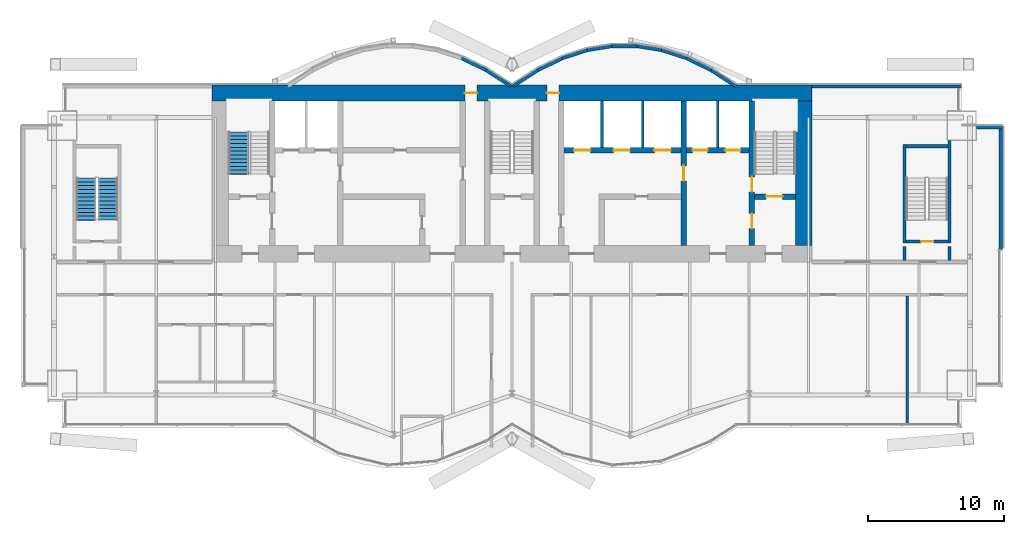
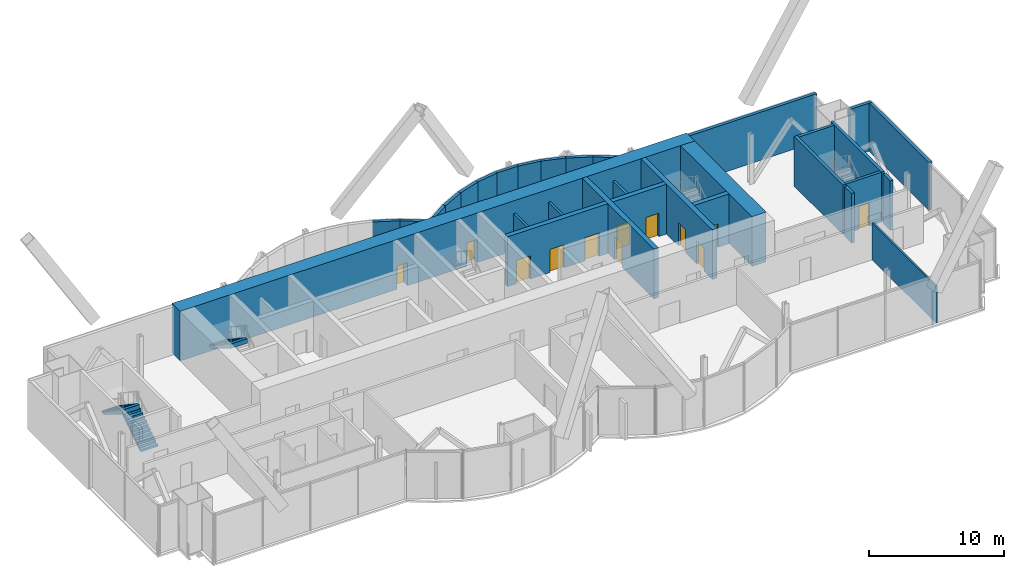
# One storey, part 13 of 17: 30 walls, 12 doors, 3 stair flights, 12 openings, 2 elements without a shape of their own.
"""IFC4 building model written with IfcOpenShell, lengths in metres."""

from ifc_helpers import new_model, si_unit, direction, frame, frame_2d, origin, place, context, subcontext, project, spatial, polyline, rectangle, outline, extrude, material, layer, layer_set, layer_usage, type_object, element, fill, aggregate, save


model = new_model("IFC4")

# Units and contexts
model_context = context("Model", 3, precision=1e-05, world=origin(), true_north=direction((0.0, 1.0)))
body_context = subcontext(model_context, "Body", "Model", "MODEL_VIEW")
ifc_project = project(units=[si_unit("LENGTHUNIT", "METRE"), si_unit("AREAUNIT", "SQUARE_METRE"), si_unit("VOLUMEUNIT", "CUBIC_METRE"), si_unit("PLANEANGLEUNIT", "RADIAN"), si_unit("MASSUNIT", "GRAM", prefix="KILO")], contexts=[model_context])

# Site, building, storey
site_placement = place(None, origin())
site = spatial("IfcSite", under=ifc_project, at=site_placement, CompositionType="ELEMENT")
building_placement = place(site_placement, origin())
building = spatial("IfcBuilding", under=site, at=building_placement, Name="Bicima Exchange Tower", CompositionType="ELEMENT")
storey_placement = place(building_placement, frame((0.0, 0.0, 333.5)))
storey = spatial("IfcBuildingStorey", under=building, at=storey_placement, Name="L75", CompositionType="ELEMENT", Elevation=333.5)

# Walls
ifc_material_1 = material(Name="Gypsum board partition")
ifc_layer_1 = layer(ifc_material_1, 0.199951171875)
ifc_layer_set_1 = layer_set([ifc_layer_1], Name="Gypsum board partition")
wall_type_1 = type_object("IfcWallType", Name="Fire-rated gypsum partition 200 EI120", PredefinedType="PARTITIONING", material=ifc_layer_set_1)
for number, where, z_axis, x_axis, name in (
    (1, (6.60009765625, -4.60009765625, 0.0), (0.0, 0.0, 1.0), (0.0, 1.0, 0.0), "partition wall 17"),
    (2, (9.60009765625, -4.60009765625, 0.0), (0.0, 0.0, 1.0), (0.0, 1.0, 0.0), "partition wall 18"),
    (3, (15.10009765625, -4.60009765625, 0.0), (0.0, 0.0, 1.0), (0.0, 1.0, 0.0), "partition wall 20"),
):
    element("IfcWall", number, at=place(storey_placement, frame(where, z_axis=z_axis, x_axis=x_axis)), inside=storey, type_object=wall_type_1, Name=name, PredefinedType="PARTITIONING", context=body_context, shape_type="SweptSolid", body=[
        extrude(rectangle(XDim=3.400146484375, YDim=0.199951171875, at=frame_2d((1.7001953125, 0.0))), origin(), (0.0, 0.0, 1.0), 3.33935546875),
    ])
ifc_layer_2 = layer(ifc_material_1, 0.14990234375)
ifc_layer_set_2 = layer_set([ifc_layer_2], Name="Gypsum board partition")
wall_type_2 = type_object("IfcWallType", Name="Gypsum partition 150", PredefinedType="PARTITIONING", material=ifc_layer_set_2)
wall_1_placement = place(storey_placement, frame((29.0, -24.949951171875, 0.0), z_axis=(0.0, 0.0, 1.0), x_axis=(0.0, 1.0, 0.0)))
element("IfcWall", 4, at=wall_1_placement, inside=storey, type_object=wall_type_2, Name="partition wall 28", PredefinedType="PARTITIONING", context=body_context, shape_type="SweptSolid", body=[
    extrude(rectangle(XDim=9.449951171875, YDim=0.14990234375, at=frame_2d((4.72509765625, 0.0))), origin(), (0.0, 0.0, 1.0), 3.33935546875),
])

# Wall, openings, doors
ifc_material_2 = material(Name="Concrete C40/50", Category="concrete")
ifc_layer_3 = layer(ifc_material_2, 1.199951171875)
ifc_layer_set_3 = layer_set([ifc_layer_3], Name="Concrete C40/50")
wall_type_3 = type_object("IfcWallType", Name="RC core wall 1200 C40/50", PredefinedType="SHEAR", material=ifc_layer_set_3)
wall_2_placement = place(storey_placement, frame((-22.0, -0.60009765625, 0.0), z_axis=(0.0, 0.0, 1.0), x_axis=(1.0, 0.0, 0.0)))
wall_2 = element("IfcWall", 5, at=wall_2_placement, inside=storey, type_object=wall_type_3, Name="Core wall north", PredefinedType="SHEAR", context=body_context, shape_type="SweptSolid", body=[
    extrude(rectangle(XDim=44.0, YDim=1.199951171875, at=frame_2d((22.0, 0.0))), origin(), (0.0, 0.0, 1.0), 4.5),
])
opening_1_placement = place(wall_2_placement, frame((18.550048828125, 0.0, 0.0)))
opening_1 = element("IfcOpeningElement", 6, at=opening_1_placement, cuts=wall_2, Name="Opening L75-C15", PredefinedType="OPENING", context=body_context, shape_type="SweptSolid", body=[
    extrude(rectangle(XDim=0.89990234375, YDim=2.10009765625, at=frame_2d((0.449951171875, 1.050048828125))), frame((0.0, 0.61181640625, 0.0), z_axis=(0.0, -1.0, 0.0), x_axis=(1.0, 0.0, 0.0)), (0.0, 0.0, 1.0), 1.223876953125),
])
opening_2_placement = place(wall_2_placement, frame((24.550048828125, 0.0, 0.0)))
opening_2 = element("IfcOpeningElement", 7, at=opening_2_placement, cuts=wall_2, Name="Opening L75-C16", PredefinedType="OPENING", context=body_context, shape_type="SweptSolid", body=[
    extrude(rectangle(XDim=0.89990234375, YDim=2.10009765625, at=frame_2d((0.449951171875, 1.050048828125))), frame((0.0, 0.61181640625, 0.0), z_axis=(0.0, -1.0, 0.0), x_axis=(1.0, 0.0, 0.0)), (0.0, 0.0, 1.0), 1.223876953125),
])
ifc_material_3 = material(Name="Steel fire door leaf", Category="steel")
door_type_1 = type_object("IfcDoorType", Name="Door 900 swing FD30S", OperationType="SINGLE_SWING_LEFT", PredefinedType="DOOR", material=ifc_material_3)
door_1_placement = place(opening_1_placement, origin())
door_1 = element("IfcDoor", 8, at=door_1_placement, inside=storey, type_object=door_type_1, Name="Core door", OperationType="SINGLE_SWING_LEFT", OverallHeight=2.10009765625, OverallWidth=0.89990234375, PredefinedType="DOOR", context=body_context, shape_type="SweptSolid", body=[
    extrude(rectangle(XDim=0.89990234375, YDim=2.10009765625, at=frame_2d((0.449951171875, 1.050048828125))), frame((0.0, 0.02490234375, 0.0), z_axis=(0.0, -1.0, 0.0), x_axis=(1.0, 0.0, 0.0)), (0.0, 0.0, 1.0), 0.050048828125),
])
fill(opening_1, door_1)
door_2_placement = place(opening_2_placement, origin())
door_2 = element("IfcDoor", 9, at=door_2_placement, inside=storey, type_object=door_type_1, Name="Core door", OperationType="SINGLE_SWING_LEFT", OverallHeight=2.10009765625, OverallWidth=0.89990234375, PredefinedType="DOOR", context=body_context, shape_type="SweptSolid", body=[
    extrude(rectangle(XDim=0.89990234375, YDim=2.10009765625, at=frame_2d((0.449951171875, 1.050048828125))), frame((0.0, 0.02490234375, 0.0), z_axis=(0.0, -1.0, 0.0), x_axis=(1.0, 0.0, 0.0)), (0.0, 0.0, 1.0), 0.050048828125),
])
fill(opening_2, door_2)

# Walls
wall_3_placement = place(storey_placement, frame((21.39990234375, -11.800048828125, 0.0), z_axis=(0.0, 0.0, 1.0), x_axis=(0.0, 1.0, 0.0)))
element("IfcWall", 10, at=wall_3_placement, inside=storey, type_object=wall_type_3, Name="Core wall east", PredefinedType="SHEAR", context=body_context, shape_type="SweptSolid", body=[
    extrude(rectangle(XDim=10.60009765625, YDim=1.199951171875, at=frame_2d((5.300048828125, 0.0))), origin(), (0.0, 0.0, 1.0), 4.5),
])
ifc_material_4 = material(Name="Concrete C50/60", Category="concrete")
ifc_layer_4 = layer(ifc_material_4, 0.25)
ifc_layer_set_4 = layer_set([ifc_layer_4], Name="Concrete C50/60")
wall_type_4 = type_object("IfcWallType", Name="RC core wall 250 C50/60", PredefinedType="SHEAR", material=ifc_layer_set_4)
for number, where, z_axis, x_axis, name in (
    (11, (28.800048828125, -12.89990234375, 0.0), (0.0, 0.0, 1.0), (0.0, 1.0, 0.0), "stair wall 27"),
    (12, (32.10009765625, -12.89990234375, 0.0), (0.0, 0.0, 1.0), (0.0, 1.0, 0.0), "stair wall 29"),
):
    element("IfcWall", number, at=place(storey_placement, frame(where, z_axis=z_axis, x_axis=x_axis)), inside=storey, type_object=wall_type_4, Name=name, PredefinedType="SHEAR", context=body_context, shape_type="SweptSolid", body=[
        extrude(rectangle(XDim=1.0498046875, YDim=0.25, at=frame_2d((0.52490234375, 0.0))), origin(), (0.0, 0.0, 1.0), 4.5),
    ])

# Wall, openings, doors
ifc_layer_5 = layer(ifc_material_2, 0.39990234375)
ifc_layer_set_5 = layer_set([ifc_layer_5], Name="Concrete C40/50")
wall_type_5 = type_object("IfcWallType", Name="RC core wall 400 C40/50", PredefinedType="SHEAR", material=ifc_layer_set_5)
wall_4_placement = place(storey_placement, frame((3.800048828125, -4.800048828125, 0.0), z_axis=(0.0, 0.0, 1.0), x_axis=(1.0, 0.0, 0.0)))
wall_4 = element("IfcWall", 13, at=wall_4_placement, inside=storey, type_object=wall_type_5, Name="shear wall 7", PredefinedType="SHEAR", context=body_context, shape_type="SweptSolid", body=[
    extrude(rectangle(XDim=13.599853515625, YDim=0.39990234375, at=frame_2d((6.7998046875, 0.0))), origin(), (0.0, 0.0, 1.0), 4.5),
])
opening_3_placement = place(wall_4_placement, frame((0.75, 0.0, 0.0)))
opening_3 = element("IfcOpeningElement", 14, at=opening_3_placement, cuts=wall_4, Name="Opening LD-HB1-L75", PredefinedType="OPENING", context=body_context, shape_type="SweptSolid", body=[
    extrude(rectangle(XDim=1.199951171875, YDim=2.10009765625, at=frame_2d((0.60009765625, 1.050048828125))), frame((0.0, 0.2119140625, 0.0), z_axis=(0.0, -1.0, 0.0), x_axis=(1.0, 0.0, 0.0)), (0.0, 0.0, 1.0), 0.423828125),
])
opening_4_placement = place(wall_4_placement, frame((3.64990234375, 0.0, 0.0)))
opening_4 = element("IfcOpeningElement", 15, at=opening_4_placement, cuts=wall_4, Name="Opening LD-HB2-L75", PredefinedType="OPENING", context=body_context, shape_type="SweptSolid", body=[
    extrude(rectangle(XDim=1.199951171875, YDim=2.10009765625, at=frame_2d((0.60009765625, 1.050048828125))), frame((0.0, 0.2119140625, 0.0), z_axis=(0.0, -1.0, 0.0), x_axis=(1.0, 0.0, 0.0)), (0.0, 0.0, 1.0), 0.423828125),
])
opening_5_placement = place(wall_4_placement, frame((6.64990234375, 0.0, 0.0)))
opening_5 = element("IfcOpeningElement", 16, at=opening_5_placement, cuts=wall_4, Name="Opening LD-HB3-L75", PredefinedType="OPENING", context=body_context, shape_type="SweptSolid", body=[
    extrude(rectangle(XDim=1.199951171875, YDim=2.10009765625, at=frame_2d((0.60009765625, 1.050048828125))), frame((0.0, 0.2119140625, 0.0), z_axis=(0.0, -1.0, 0.0), x_axis=(1.0, 0.0, 0.0)), (0.0, 0.0, 1.0), 0.423828125),
])
opening_6_placement = place(wall_4_placement, frame((9.449951171875, 0.0, 0.0)))
opening_6 = element("IfcOpeningElement", 17, at=opening_6_placement, cuts=wall_4, Name="Opening LD-FF2-L75", PredefinedType="OPENING", context=body_context, shape_type="SweptSolid", body=[
    extrude(rectangle(XDim=1.10009765625, YDim=2.10009765625, at=frame_2d((0.550048828125, 1.050048828125))), frame((0.0, 0.2119140625, 0.0), z_axis=(0.0, -1.0, 0.0), x_axis=(1.0, 0.0, 0.0)), (0.0, 0.0, 1.0), 0.423828125),
])
opening_7_placement = place(wall_4_placement, frame((11.85009765625, 0.0, 0.0)))
opening_7 = element("IfcOpeningElement", 18, at=opening_7_placement, cuts=wall_4, Name="Opening LD-SV1-L75", PredefinedType="OPENING", context=body_context, shape_type="SweptSolid", body=[
    extrude(rectangle(XDim=1.10009765625, YDim=2.10009765625, at=frame_2d((0.550048828125, 1.050048828125))), frame((0.0, 0.2119140625, 0.0), z_axis=(0.0, -1.0, 0.0), x_axis=(1.0, 0.0, 0.0)), (0.0, 0.0, 1.0), 0.423828125),
])
ifc_material_5 = material(Name="Stainless steel", Category="steel")
door_type_2 = type_object("IfcDoorType", Name="Lift landing door 1100 sliding", OperationType="DOUBLE_DOOR_SLIDING", PredefinedType="DOOR", material=ifc_material_5)
door_3_placement = place(opening_6_placement, origin())
door_3 = element("IfcDoor", 19, at=door_3_placement, inside=storey, type_object=door_type_2, Name="Lift landing door FF2", OperationType="DOUBLE_DOOR_SLIDING", OverallHeight=2.10009765625, OverallWidth=1.10009765625, PredefinedType="DOOR", context=body_context, shape_type="SweptSolid", body=[
    extrude(rectangle(XDim=1.10009765625, YDim=2.10009765625, at=frame_2d((0.550048828125, 1.050048828125))), frame((0.0, 0.02490234375, 0.0), z_axis=(0.0, -1.0, 0.0), x_axis=(1.0, 0.0, 0.0)), (0.0, 0.0, 1.0), 0.050048828125),
])
fill(opening_6, door_3)
door_4_placement = place(opening_7_placement, origin())
door_4 = element("IfcDoor", 20, at=door_4_placement, inside=storey, type_object=door_type_2, Name="Lift landing door SV1", OperationType="DOUBLE_DOOR_SLIDING", OverallHeight=2.10009765625, OverallWidth=1.10009765625, PredefinedType="DOOR", context=body_context, shape_type="SweptSolid", body=[
    extrude(rectangle(XDim=1.10009765625, YDim=2.10009765625, at=frame_2d((0.550048828125, 1.050048828125))), frame((0.0, 0.02490234375, 0.0), z_axis=(0.0, -1.0, 0.0), x_axis=(1.0, 0.0, 0.0)), (0.0, 0.0, 1.0), 0.050048828125),
])
fill(opening_7, door_4)
door_type_3 = type_object("IfcDoorType", Name="Lift landing door 1200 sliding", OperationType="DOUBLE_DOOR_SLIDING", PredefinedType="DOOR", material=ifc_material_5)
door_5_placement = place(opening_3_placement, origin())
door_5 = element("IfcDoor", 21, at=door_5_placement, inside=storey, type_object=door_type_3, Name="Lift landing door HB1", OperationType="DOUBLE_DOOR_SLIDING", OverallHeight=2.10009765625, OverallWidth=1.199951171875, PredefinedType="DOOR", context=body_context, shape_type="SweptSolid", body=[
    extrude(rectangle(XDim=1.199951171875, YDim=2.10009765625, at=frame_2d((0.60009765625, 1.050048828125))), frame((0.0, 0.02490234375, 0.0), z_axis=(0.0, -1.0, 0.0), x_axis=(1.0, 0.0, 0.0)), (0.0, 0.0, 1.0), 0.050048828125),
])
fill(opening_3, door_5)
door_6_placement = place(opening_4_placement, origin())
door_6 = element("IfcDoor", 22, at=door_6_placement, inside=storey, type_object=door_type_3, Name="Lift landing door HB2", OperationType="DOUBLE_DOOR_SLIDING", OverallHeight=2.10009765625, OverallWidth=1.199951171875, PredefinedType="DOOR", context=body_context, shape_type="SweptSolid", body=[
    extrude(rectangle(XDim=1.199951171875, YDim=2.10009765625, at=frame_2d((0.60009765625, 1.050048828125))), frame((0.0, 0.02490234375, 0.0), z_axis=(0.0, -1.0, 0.0), x_axis=(1.0, 0.0, 0.0)), (0.0, 0.0, 1.0), 0.050048828125),
])
fill(opening_4, door_6)
door_7_placement = place(opening_5_placement, origin())
door_7 = element("IfcDoor", 23, at=door_7_placement, inside=storey, type_object=door_type_3, Name="Lift landing door HB3", OperationType="DOUBLE_DOOR_SLIDING", OverallHeight=2.10009765625, OverallWidth=1.199951171875, PredefinedType="DOOR", context=body_context, shape_type="SweptSolid", body=[
    extrude(rectangle(XDim=1.199951171875, YDim=2.10009765625, at=frame_2d((0.60009765625, 1.050048828125))), frame((0.0, 0.02490234375, 0.0), z_axis=(0.0, -1.0, 0.0), x_axis=(1.0, 0.0, 0.0)), (0.0, 0.0, 1.0), 0.050048828125),
])
fill(opening_5, door_7)

# Wall, opening, door
wall_5_placement = place(storey_placement, frame((12.60009765625, -11.800048828125, 0.0), z_axis=(0.0, 0.0, 1.0), x_axis=(0.0, 1.0, 0.0)))
wall_5 = element("IfcWall", 24, at=wall_5_placement, inside=storey, type_object=wall_type_5, Name="shear wall 19", PredefinedType="SHEAR", context=body_context, shape_type="SweptSolid", body=[
    extrude(rectangle(XDim=10.60009765625, YDim=0.39990234375, at=frame_2d((5.300048828125, 0.0))), origin(), (0.0, 0.0, 1.0), 4.5),
])
opening_8_placement = place(wall_5_placement, frame((4.75, 0.0, 0.0)))
opening_8 = element("IfcOpeningElement", 25, at=opening_8_placement, cuts=wall_5, Name="Opening L75-C09", PredefinedType="OPENING", context=body_context, shape_type="SweptSolid", body=[
    extrude(rectangle(XDim=1.10009765625, YDim=2.10009765625, at=frame_2d((0.550048828125, 1.050048828125))), frame((0.0, 0.2119140625, 0.0), z_axis=(0.0, -1.0, 0.0), x_axis=(1.0, 0.0, 0.0)), (0.0, 0.0, 1.0), 0.423828125),
])
door_type_4 = type_object("IfcDoorType", Name="Door 1100 swing FD60S", OperationType="SINGLE_SWING_LEFT", PredefinedType="DOOR", material=ifc_material_3)
door_8_placement = place(opening_8_placement, frame((1.10009765625, 0.0, 0.0), z_axis=(0.0, 0.0, 1.0), x_axis=(-1.0, 0.0, 0.0)))
door_8 = element("IfcDoor", 26, at=door_8_placement, inside=storey, type_object=door_type_4, Name="Core door", OperationType="SINGLE_SWING_RIGHT", OverallHeight=2.10009765625, OverallWidth=1.10009765625, PredefinedType="DOOR", context=body_context, shape_type="SweptSolid", body=[
    extrude(rectangle(XDim=1.10009765625, YDim=2.10009765625, at=frame_2d((0.550048828125, 1.050048828125))), frame((0.0, 0.02490234375, 0.0), z_axis=(0.0, -1.0, 0.0), x_axis=(1.0, 0.0, 0.0)), (0.0, 0.0, 1.0), 0.050048828125),
])
fill(opening_8, door_8)

ifc_layer_6 = layer(ifc_material_4, 0.39990234375)
ifc_layer_set_6 = layer_set([ifc_layer_6], Name="Concrete C50/60")
wall_type_6 = type_object("IfcWallType", Name="RC core wall 400 C50/60", PredefinedType="SHEAR", material=ifc_layer_set_6)
wall_6_placement = place(storey_placement, frame((17.800048828125, -8.199951171875, 0.0), z_axis=(0.0, 0.0, 1.0), x_axis=(1.0, 0.0, 0.0)))
wall_6 = element("IfcWall", 27, at=wall_6_placement, inside=storey, type_object=wall_type_6, Name="stair wall 5", PredefinedType="SHEAR", context=body_context, shape_type="SweptSolid", body=[
    extrude(rectangle(XDim=3.0, YDim=0.39990234375, at=frame_2d((1.5, 0.0))), origin(), (0.0, 0.0, 1.0), 4.5),
])
opening_9_placement = place(wall_6_placement, frame((0.85009765625, 0.0, 0.0)))
opening_9 = element("IfcOpeningElement", 28, at=opening_9_placement, cuts=wall_6, Name="Opening L75-C04", PredefinedType="OPENING", context=body_context, shape_type="SweptSolid", body=[
    extrude(rectangle(XDim=1.199951171875, YDim=2.10009765625, at=frame_2d((0.60009765625, 1.050048828125))), frame((0.0, 0.2119140625, 0.0), z_axis=(0.0, -1.0, 0.0), x_axis=(1.0, 0.0, 0.0)), (0.0, 0.0, 1.0), 0.423828125),
])
door_type_5 = type_object("IfcDoorType", Name="Door 1200 swing FD60S", OperationType="SINGLE_SWING_LEFT", PredefinedType="DOOR", material=ifc_material_3)
door_9_placement = place(opening_9_placement, origin())
door_9 = element("IfcDoor", 29, at=door_9_placement, inside=storey, type_object=door_type_5, Name="Core door", OperationType="SINGLE_SWING_RIGHT", OverallHeight=2.10009765625, OverallWidth=1.199951171875, PredefinedType="DOOR", context=body_context, shape_type="SweptSolid", body=[
    extrude(rectangle(XDim=1.199951171875, YDim=2.10009765625, at=frame_2d((0.60009765625, 1.050048828125))), frame((0.0, 0.02490234375, 0.0), z_axis=(0.0, -1.0, 0.0), x_axis=(1.0, 0.0, 0.0)), (0.0, 0.0, 1.0), 0.050048828125),
])
fill(opening_9, door_9)

# Wall, openings, doors
wall_7_placement = place(storey_placement, frame((17.60009765625, -11.800048828125, 0.0), z_axis=(0.0, 0.0, 1.0), x_axis=(0.0, 1.0, 0.0)))
wall_7 = element("IfcWall", 30, at=wall_7_placement, inside=storey, type_object=wall_type_6, Name="stair wall 21", PredefinedType="SHEAR", context=body_context, shape_type="SweptSolid", body=[
    extrude(rectangle(XDim=10.60009765625, YDim=0.39990234375, at=frame_2d((5.300048828125, 0.0))), origin(), (0.0, 0.0, 1.0), 4.5),
])
opening_10_placement = place(wall_7_placement, frame((1.25, 0.0, 0.0)))
opening_10 = element("IfcOpeningElement", 31, at=opening_10_placement, cuts=wall_7, Name="Opening L75-C05", PredefinedType="OPENING", context=body_context, shape_type="SweptSolid", body=[
    extrude(rectangle(XDim=1.10009765625, YDim=2.10009765625, at=frame_2d((0.550048828125, 1.050048828125))), frame((0.0, 0.2119140625, 0.0), z_axis=(0.0, -1.0, 0.0), x_axis=(1.0, 0.0, 0.0)), (0.0, 0.0, 1.0), 0.423828125),
])
opening_11_placement = place(wall_7_placement, frame((3.949951171875, 0.0, 0.0)))
opening_11 = element("IfcOpeningElement", 32, at=opening_11_placement, cuts=wall_7, Name="Opening L75-C08", PredefinedType="OPENING", context=body_context, shape_type="SweptSolid", body=[
    extrude(rectangle(XDim=1.10009765625, YDim=2.10009765625, at=frame_2d((0.550048828125, 1.050048828125))), frame((0.0, 0.2119140625, 0.0), z_axis=(0.0, -1.0, 0.0), x_axis=(1.0, 0.0, 0.0)), (0.0, 0.0, 1.0), 0.423828125),
])
door_10_placement = place(opening_10_placement, origin())
door_10 = element("IfcDoor", 33, at=door_10_placement, inside=storey, type_object=door_type_4, Name="Core door", OperationType="SINGLE_SWING_LEFT", OverallHeight=2.10009765625, OverallWidth=1.10009765625, PredefinedType="DOOR", context=body_context, shape_type="SweptSolid", body=[
    extrude(rectangle(XDim=1.10009765625, YDim=2.10009765625, at=frame_2d((0.550048828125, 1.050048828125))), frame((0.0, 0.02490234375, 0.0), z_axis=(0.0, -1.0, 0.0), x_axis=(1.0, 0.0, 0.0)), (0.0, 0.0, 1.0), 0.050048828125),
])
fill(opening_10, door_10)
door_11_placement = place(opening_11_placement, origin())
door_11 = element("IfcDoor", 34, at=door_11_placement, inside=storey, type_object=door_type_4, Name="Core door", OperationType="SINGLE_SWING_RIGHT", OverallHeight=2.10009765625, OverallWidth=1.10009765625, PredefinedType="DOOR", context=body_context, shape_type="SweptSolid", body=[
    extrude(rectangle(XDim=1.10009765625, YDim=2.10009765625, at=frame_2d((0.550048828125, 1.050048828125))), frame((0.0, 0.02490234375, 0.0), z_axis=(0.0, -1.0, 0.0), x_axis=(1.0, 0.0, 0.0)), (0.0, 0.0, 1.0), 0.050048828125),
])
fill(opening_11, door_11)

# Walls
ifc_layer_7 = layer(ifc_material_4, 0.25)
ifc_layer_set_7 = layer_set([ifc_layer_7], Name="Concrete C50/60")
wall_type_7 = type_object("IfcWallType", Name="RC stair enclosure wall 250 C50/60", PredefinedType="SHEAR", material=ifc_layer_set_7)
wall_8_placement = place(storey_placement, frame((28.800048828125, -11.625, 0.0), z_axis=(0.0, 0.0, 1.0), x_axis=(0.0, 1.0, 0.0)))
element("IfcWall", 35, at=wall_8_placement, inside=storey, type_object=wall_type_7, Name="East end exit stair wall W", PredefinedType="SHEAR", context=body_context, shape_type="SweptSolid", body=[
    extrude(rectangle(XDim=7.25, YDim=0.25, at=frame_2d((3.625, 0.0))), origin(), (0.0, 0.0, 1.0), 4.5),
])
wall_9_placement = place(storey_placement, frame((32.10009765625, -11.625, 0.0), z_axis=(0.0, 0.0, 1.0), x_axis=(0.0, 1.0, 0.0)))
element("IfcWall", 36, at=wall_9_placement, inside=storey, type_object=wall_type_7, Name="East end exit stair wall E", PredefinedType="SHEAR", context=body_context, shape_type="SweptSolid", body=[
    extrude(rectangle(XDim=7.52490234375, YDim=0.25, at=frame_2d((3.762451171875, 0.0))), origin(), (0.0, 0.0, 1.0), 4.5),
])

# Wall, opening, door
wall_10_placement = place(storey_placement, frame((28.925048828125, -11.5, 0.0), z_axis=(0.0, 0.0, 1.0), x_axis=(1.0, 0.0, 0.0)))
wall_10 = element("IfcWall", 37, at=wall_10_placement, inside=storey, type_object=wall_type_7, Name="East end exit stair wall S", PredefinedType="SHEAR", context=body_context, shape_type="SweptSolid", body=[
    extrude(rectangle(XDim=3.050048828125, YDim=0.25, at=frame_2d((1.52490234375, 0.0))), origin(), (0.0, 0.0, 1.0), 4.5),
])
opening_12_placement = place(wall_10_placement, frame((1.10009765625, 0.0, 0.0)))
opening_12 = element("IfcOpeningElement", 38, at=opening_12_placement, cuts=wall_10, Name="Opening L75-004", PredefinedType="OPENING", context=body_context, shape_type="SweptSolid", body=[
    extrude(rectangle(XDim=0.89990234375, YDim=2.10009765625, at=frame_2d((0.449951171875, 1.050048828125))), frame((0.0, 0.136962890625, 0.0), z_axis=(0.0, -1.0, 0.0), x_axis=(1.0, 0.0, 0.0)), (0.0, 0.0, 1.0), 0.27392578125),
])
door_type_6 = type_object("IfcDoorType", Name="Door 900 swing FD60S", OperationType="SINGLE_SWING_LEFT", PredefinedType="DOOR", material=ifc_material_3)
door_12_placement = place(opening_12_placement, origin())
door_12 = element("IfcDoor", 39, at=door_12_placement, inside=storey, type_object=door_type_6, Name="Door", OperationType="SINGLE_SWING_LEFT", OverallHeight=2.10009765625, OverallWidth=0.89990234375, PredefinedType="DOOR", context=body_context, shape_type="SweptSolid", body=[
    extrude(rectangle(XDim=0.89990234375, YDim=2.10009765625, at=frame_2d((0.449951171875, 1.050048828125))), frame((0.0, 0.02490234375, 0.0), z_axis=(0.0, -1.0, 0.0), x_axis=(1.0, 0.0, 0.0)), (0.0, 0.0, 1.0), 0.050048828125),
])
fill(opening_12, door_12)

# Walls
wall_11_placement = place(storey_placement, frame((28.925048828125, -4.5, 0.0), z_axis=(0.0, 0.0, 1.0), x_axis=(1.0, 0.0, 0.0)))
element("IfcWall", 40, at=wall_11_placement, inside=storey, type_object=wall_type_7, Name="East end exit stair wall N", PredefinedType="SHEAR", context=body_context, shape_type="SweptSolid", body=[
    extrude(rectangle(XDim=3.050048828125, YDim=0.25, at=frame_2d((1.52490234375, 0.0))), origin(), (0.0, 0.0, 1.0), 4.5),
])
ifc_layer_8 = layer(ifc_material_2, 0.25)
ifc_layer_set_8 = layer_set([ifc_layer_8], Name="Concrete C40/50")
ifc_layer_usage = layer_usage(ifc_layer_set_8, "AXIS2", "POSITIVE", -0.125)
wall_type_8 = type_object("IfcWallType", Name="Rear backup wall 250", PredefinedType="STANDARD", material=ifc_layer_set_8)
wall_12_placement = place(storey_placement, frame((33.0, -0.125, 0.0), z_axis=(0.0, 0.0, 1.0), x_axis=(-1.0, 0.0, 0.0)))
element("IfcWall", 41, at=wall_12_placement, inside=storey, type_object=wall_type_8, material=ifc_layer_usage, Name="Rear backup wall L75 1", PredefinedType="STANDARD", context=body_context, shape_type="SweptSolid", body=[
    extrude(rectangle(XDim=11.0, YDim=0.25, at=frame_2d((5.5, 0.0))), origin(), (0.0, 0.0, 1.0), 4.35009765625),
])
wall_13_placement = place(storey_placement, frame((16.43212890625, -0.10498046875, 0.0), z_axis=(0.0, 0.0, 1.0), x_axis=(-0.83981312244, 0.542875602121, 0.0)))
element("IfcWall", 42, at=wall_13_placement, inside=storey, type_object=wall_type_8, material=ifc_layer_usage, Name="Rear backup wall L75 2", PredefinedType="STANDARD", context=body_context, shape_type="SweptSolid", body=[
    extrude(rectangle(XDim=2.182861328125, YDim=0.25, at=frame_2d((1.09130859375, 0.0))), origin(), (0.0, 0.0, 1.0), 4.35009765625),
])
wall_14_placement = place(storey_placement, frame((14.6123046875, 1.07275390625, 0.0), z_axis=(0.0, 0.0, 1.0), x_axis=(-0.89982408427, 0.436252928206, 0.0)))
element("IfcWall", 43, at=wall_14_placement, inside=storey, type_object=wall_type_8, material=ifc_layer_usage, Name="Rear backup wall L75 3", PredefinedType="STANDARD", context=body_context, shape_type="SweptSolid", body=[
    extrude(rectangle(XDim=2.03759765625, YDim=0.25, at=frame_2d((1.018798828125, 0.0))), origin(), (0.0, 0.0, 1.0), 4.35009765625),
])
wall_15_placement = place(storey_placement, frame((12.794921875, 1.955078125, 0.0), z_axis=(0.0, 0.0, 1.0), x_axis=(-0.951495806175, 0.307661714928, 0.0)))
element("IfcWall", 44, at=wall_15_placement, inside=storey, type_object=wall_type_8, material=ifc_layer_usage, Name="Rear backup wall L75 4", PredefinedType="STANDARD", context=body_context, shape_type="SweptSolid", body=[
    extrude(rectangle(XDim=1.9267578125, YDim=0.25, at=frame_2d((0.96337890625, 0.0))), origin(), (0.0, 0.0, 1.0), 4.35009765625),
])
wall_16_placement = place(storey_placement, frame((10.97998046875, 2.543212890625, 0.0), z_axis=(0.0, 0.0, 1.0), x_axis=(-0.987181718931, 0.159600293885, 0.0)))
element("IfcWall", 45, at=wall_16_placement, inside=storey, type_object=wall_type_8, material=ifc_layer_usage, Name="Rear backup wall L75 5", PredefinedType="STANDARD", context=body_context, shape_type="SweptSolid", body=[
    extrude(rectangle(XDim=1.857177734375, YDim=0.25, at=frame_2d((0.9287109375, 0.0))), origin(), (0.0, 0.0, 1.0), 4.35009765625),
])
wall_17_placement = place(storey_placement, frame((9.166748046875, 2.837890625, 0.0), z_axis=(0.0, 0.0, 1.0), x_axis=(-1.0, 0.0, 0.0)))
element("IfcWall", 46, at=wall_17_placement, inside=storey, type_object=wall_type_8, material=ifc_layer_usage, Name="Rear backup wall L75 6", PredefinedType="STANDARD", context=body_context, shape_type="SweptSolid", body=[
    extrude(rectangle(XDim=1.83349609375, YDim=0.25, at=frame_2d((0.916748046875, 0.0))), origin(), (0.0, 0.0, 1.0), 4.35009765625),
])
wall_18_placement = place(storey_placement, frame((7.353271484375, 2.839599609375, 0.0), z_axis=(0.0, 0.0, 1.0), x_axis=(-0.987181718931, -0.159600293885, 0.0)))
element("IfcWall", 47, at=wall_18_placement, inside=storey, type_object=wall_type_8, material=ifc_layer_usage, Name="Rear backup wall L75 7", PredefinedType="STANDARD", context=body_context, shape_type="SweptSolid", body=[
    extrude(rectangle(XDim=1.857177734375, YDim=0.25, at=frame_2d((0.9287109375, 0.0))), origin(), (0.0, 0.0, 1.0), 4.35009765625),
])
wall_19_placement = place(storey_placement, frame((5.538330078125, 2.5478515625, 0.0), z_axis=(0.0, 0.0, 1.0), x_axis=(-0.951495806175, -0.307661714928, 0.0)))
element("IfcWall", 48, at=wall_19_placement, inside=storey, type_object=wall_type_8, material=ifc_layer_usage, Name="Rear backup wall L75 8", PredefinedType="STANDARD", context=body_context, shape_type="SweptSolid", body=[
    extrude(rectangle(XDim=1.9267578125, YDim=0.25, at=frame_2d((0.96337890625, 0.0))), origin(), (0.0, 0.0, 1.0), 4.35009765625),
])
wall_20_placement = place(storey_placement, frame((3.72119140625, 1.961669921875, 0.0), z_axis=(0.0, 0.0, 1.0), x_axis=(-0.89982408427, -0.436252928206, 0.0)))
element("IfcWall", 49, at=wall_20_placement, inside=storey, type_object=wall_type_8, material=ifc_layer_usage, Name="Rear backup wall L75 9", PredefinedType="STANDARD", context=body_context, shape_type="SweptSolid", body=[
    extrude(rectangle(XDim=2.03759765625, YDim=0.25, at=frame_2d((1.018798828125, 0.0))), origin(), (0.0, 0.0, 1.0), 4.35009765625),
])
for number, where, z_axis, x_axis, name in (
    (50, (1.901123046875, 1.080078125, 0.0), (0.0, 0.0, 1.0), (-0.83981312244, -0.542875602121, 0.0), "Rear backup wall L75 10"),
    (51, (-0.06787109375, -0.10498046875, 0.0), (0.0, 0.0, 1.0), (-0.83981312244, 0.542875602121, 0.0), "Rear backup wall L75 11"),
):
    element("IfcWall", number, at=place(storey_placement, frame(where, z_axis=z_axis, x_axis=x_axis)), inside=storey, type_object=wall_type_8, material=ifc_layer_usage, Name=name, PredefinedType="STANDARD", context=body_context, shape_type="SweptSolid", body=[
        extrude(rectangle(XDim=2.182861328125, YDim=0.25, at=frame_2d((1.09130859375, 0.0))), origin(), (0.0, 0.0, 1.0), 4.35009765625),
    ])
wall_21_placement = place(storey_placement, frame((-1.8876953125, 1.07275390625, 0.0), z_axis=(0.0, 0.0, 1.0), x_axis=(-0.89982408427, 0.436252928206, 0.0)))
element("IfcWall", 52, at=wall_21_placement, inside=storey, type_object=wall_type_8, material=ifc_layer_usage, Name="Rear backup wall L75 12", PredefinedType="STANDARD", context=body_context, shape_type="SweptSolid", body=[
    extrude(rectangle(XDim=2.03759765625, YDim=0.25, at=frame_2d((1.018798828125, 0.0))), origin(), (0.0, 0.0, 1.0), 4.35009765625),
])
wall_22_placement = place(storey_placement, frame((35.875, -12.090087890625, 0.0), z_axis=(0.0, 0.0, 1.0), x_axis=(0.0, 1.0, 0.0)))
element("IfcWall", 53, at=wall_22_placement, inside=storey, type_object=wall_type_8, material=ifc_layer_usage, Name="Rear backup wall L75 50", PredefinedType="STANDARD", context=body_context, shape_type="SweptSolid", body=[
    extrude(rectangle(XDim=9.090087890625, YDim=0.25, at=frame_2d((4.544921875, 0.0))), origin(), (0.0, 0.0, 1.0), 4.35009765625),
])
wall_23_placement = place(storey_placement, frame((36.0, -3.125, 0.0), z_axis=(0.0, 0.0, 1.0), x_axis=(-1.0, 0.0, 0.0)))
element("IfcWall", 54, at=wall_23_placement, inside=storey, type_object=wall_type_8, material=ifc_layer_usage, Name="Rear backup wall L75 51", PredefinedType="STANDARD", context=body_context, shape_type="SweptSolid", body=[
    extrude(rectangle(XDim=1.89990234375, YDim=0.25, at=frame_2d((0.949951171875, 0.0))), origin(), (0.0, 0.0, 1.0), 4.35009765625),
])

# Stair, stair flight
stair_type = type_object("IfcStairType", Name="Exit stair", PredefinedType="HALF_TURN_STAIR", material=ifc_material_4)
stair_1_placement = place(storey_placement, origin())
stair_1 = element("IfcStair", 55, at=stair_1_placement, inside=storey, type_object=stair_type, Name="L75 West exit stair", PredefinedType="HALF_TURN_STAIR")
stair_flight_type = type_object("IfcStairFlightType", Name="Stair flight RC", PredefinedType="STRAIGHT", material=ifc_material_4)
stair_flight_1_placement = place(storey_placement, frame((-20.074951171875, -3.469970703125, 2.25), z_axis=(0.0, 0.0, 1.0), x_axis=(0.0, -1.0, 0.0)))
stair_flight_1 = element("IfcStairFlight", 56, at=stair_flight_1_placement, type_object=stair_flight_type, Name="ST-W flight 2", NumberOfRisers=12, NumberOfTreads=11, PredefinedType="STRAIGHT", RiserHeight=0.1875, TreadLength=0.28, context=body_context, shape_type="SweptSolid", body=[
    extrude(outline(polyline([(0.0, 0.0), (0.0, 0.1875), (0.280029296875, 0.1875), (0.280029296875, 0.375), (0.56005859375, 0.375), (0.56005859375, 0.5625), (0.840087890625, 0.5625), (0.840087890625, 0.75), (1.1201171875, 0.75), (1.1201171875, 0.9375), (1.39990234375, 0.9375), (1.39990234375, 1.125), (1.679931640625, 1.125), (1.679931640625, 1.3125), (1.9599609375, 1.3125), (1.9599609375, 1.5), (2.239990234375, 1.5), (2.239990234375, 1.6875), (2.52001953125, 1.6875), (2.52001953125, 1.875), (2.800048828125, 1.875), (2.800048828125, 2.0625), (3.080078125, 2.0625), (3.080078125, 2.10400390625), (3.094970703125, 2.10400390625), (3.094970703125, 1.70458984375), (0.26953125, 0.0), (0.0, 0.0)])), frame((0.0, 0.72509765625, 0.0), z_axis=(0.0, -1.0, 0.0), x_axis=(1.0, 0.0, 0.0)), (0.0, 0.0, 1.0), 1.449951171875),
])
aggregate(stair_1, [stair_flight_1])

# Stair, stair flights
stair_2_placement = place(storey_placement, origin())
stair_2 = element("IfcStair", 57, at=stair_2_placement, inside=storey, type_object=stair_type, Name="L75 West end exit stair", PredefinedType="HALF_TURN_STAIR")
stair_flight_2_placement = place(storey_placement, frame((-29.64990234375, -9.925048828125, 0.0), z_axis=(0.0, 0.0, 1.0), x_axis=(0.0, 1.0, 0.0)))
stair_flight_2 = element("IfcStairFlight", 58, at=stair_flight_2_placement, type_object=stair_flight_type, Name="ST-WW flight 1", NumberOfRisers=12, NumberOfTreads=11, PredefinedType="STRAIGHT", RiserHeight=0.1875, TreadLength=0.28, context=body_context, shape_type="SweptSolid", body=[
    extrude(outline(polyline([(0.0, 0.0), (0.0, 0.1875), (0.280029296875, 0.1875), (0.280029296875, 0.375), (0.56005859375, 0.375), (0.56005859375, 0.5625), (0.840087890625, 0.5625), (0.840087890625, 0.75), (1.1201171875, 0.75), (1.1201171875, 0.9375), (1.39990234375, 0.9375), (1.39990234375, 1.125), (1.679931640625, 1.125), (1.679931640625, 1.3125), (1.9599609375, 1.3125), (1.9599609375, 1.5), (2.239990234375, 1.5), (2.239990234375, 1.6875), (2.52001953125, 1.6875), (2.52001953125, 1.875), (2.800048828125, 1.875), (2.800048828125, 2.0625), (3.080078125, 2.0625), (3.080078125, 2.25), (3.080078125, 1.882080078125), (0.26953125, 0.0), (0.0, 0.0)])), frame((0.0, 0.72509765625, 0.0), z_axis=(0.0, -1.0, 0.0), x_axis=(1.0, 0.0, 0.0)), (0.0, 0.0, 1.0), 1.449951171875),
])
stair_flight_3_placement = place(storey_placement, frame((-31.25, -6.844970703125, 2.25), z_axis=(0.0, 0.0, 1.0), x_axis=(0.0, -1.0, 0.0)))
stair_flight_3 = element("IfcStairFlight", 59, at=stair_flight_3_placement, type_object=stair_flight_type, Name="ST-WW flight 2", NumberOfRisers=12, NumberOfTreads=11, PredefinedType="STRAIGHT", RiserHeight=0.1875, TreadLength=0.28, context=body_context, shape_type="SweptSolid", body=[
    extrude(outline(polyline([(0.0, 0.0), (0.0, 0.1875), (0.280029296875, 0.1875), (0.280029296875, 0.375), (0.56005859375, 0.375), (0.56005859375, 0.5625), (0.840087890625, 0.5625), (0.840087890625, 0.75), (1.1201171875, 0.75), (1.1201171875, 0.9375), (1.39990234375, 0.9375), (1.39990234375, 1.125), (1.679931640625, 1.125), (1.679931640625, 1.3125), (1.9599609375, 1.3125), (1.9599609375, 1.5), (2.239990234375, 1.5), (2.239990234375, 1.6875), (2.52001953125, 1.6875), (2.52001953125, 1.875), (2.800048828125, 1.875), (2.800048828125, 2.0625), (3.080078125, 2.0625), (3.080078125, 2.10400390625), (3.094970703125, 2.10400390625), (3.094970703125, 1.70458984375), (0.26953125, 0.0), (0.0, 0.0)])), frame((0.0, 0.72509765625, 0.0), z_axis=(0.0, -1.0, 0.0), x_axis=(1.0, 0.0, 0.0)), (0.0, 0.0, 1.0), 1.449951171875),
])
aggregate(stair_2, [stair_flight_2, stair_flight_3])

save(model, "model.ifc")
